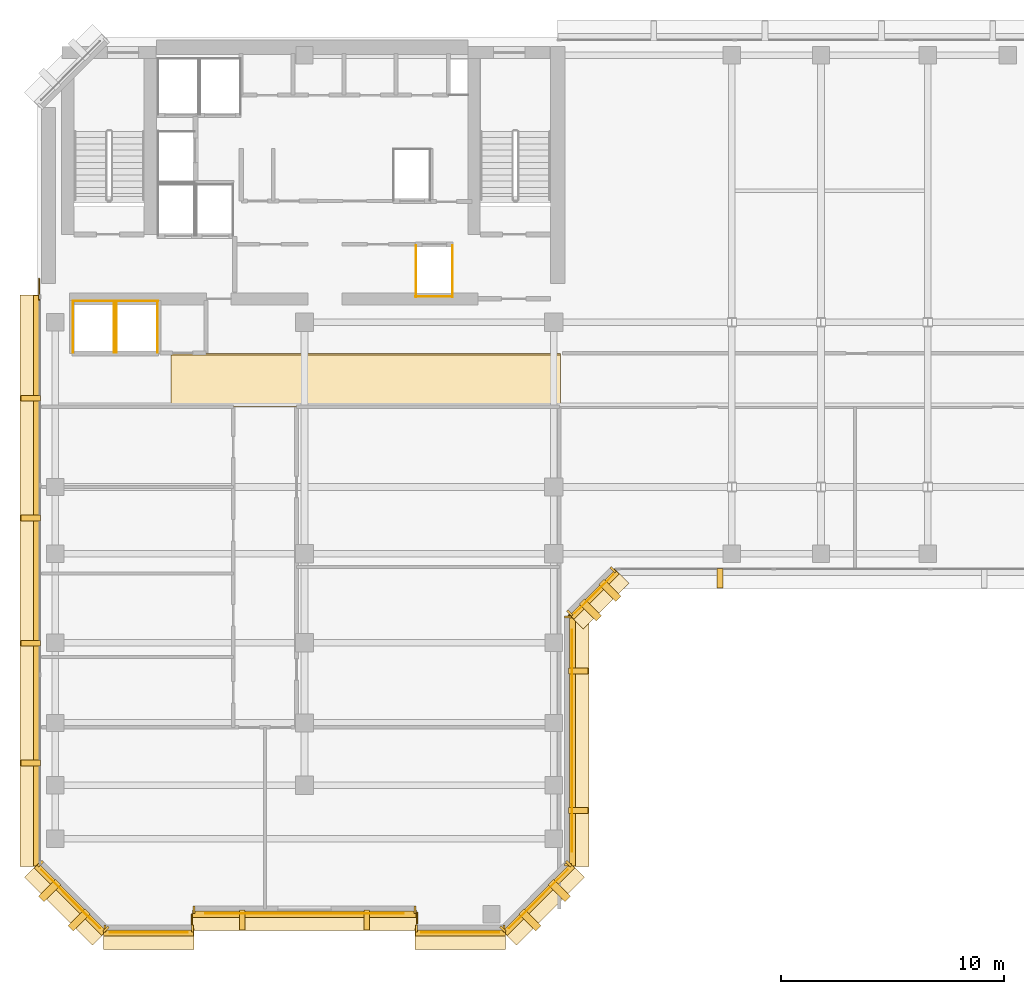
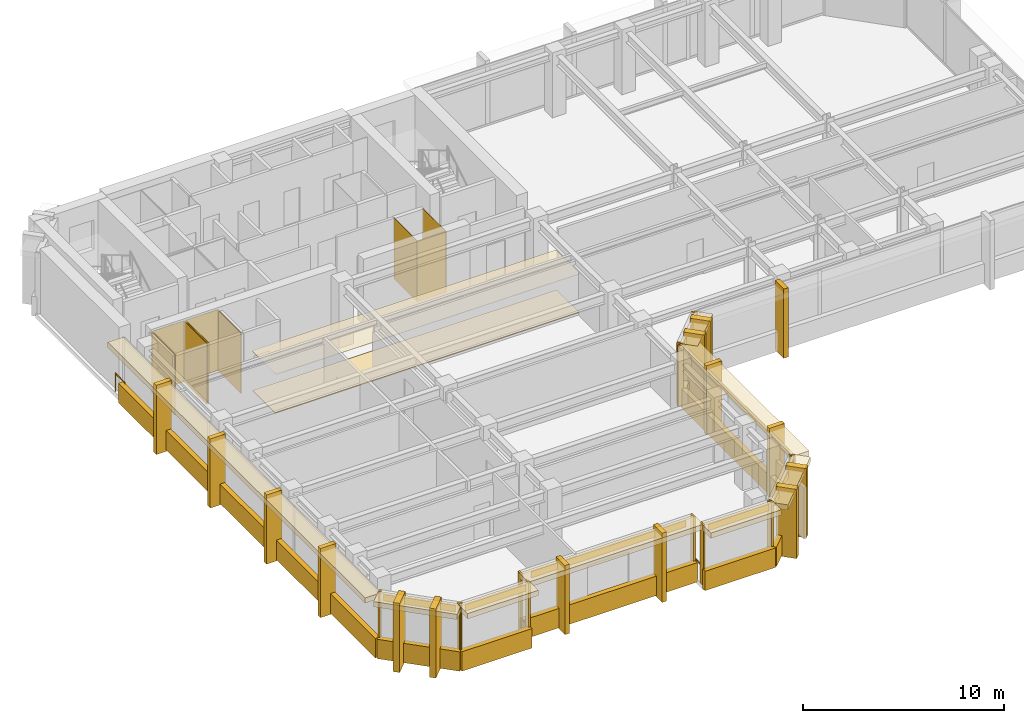
# One storey, part 9 of 12: 63 coverings, 3 railings.
"""IFC4 building model written with IfcOpenShell, lengths in metres."""

from ifc_helpers import new_model, si_unit, direction, frame, origin, origin_2d, place, context, subcontext, project, spatial, polyline, rectangle, circle, outline, extrude, material, layer, layer_set, type_object, element, save


model = new_model("IFC4")

# Units and contexts
model_context = context("Model", 3, precision=1e-05, world=origin(), true_north=direction((0.0, 1.0)))
body_context = subcontext(model_context, "Body", "Model", "MODEL_VIEW")
ifc_project = project(units=[si_unit("LENGTHUNIT", "METRE"), si_unit("AREAUNIT", "SQUARE_METRE"), si_unit("VOLUMEUNIT", "CUBIC_METRE"), si_unit("PLANEANGLEUNIT", "RADIAN"), si_unit("MASSUNIT", "GRAM", prefix="KILO")], contexts=[model_context])

# Site, building, storey
site_placement = place(None, origin())
site = spatial("IfcSite", under=ifc_project, at=site_placement, CompositionType="ELEMENT")
building_placement = place(site_placement, origin())
building = spatial("IfcBuilding", under=site, at=building_placement, Name="Kefirva Bronze Tower", CompositionType="ELEMENT")
storey_placement = place(building_placement, frame((0.0, 0.0, 264.330078125)))
storey = spatial("IfcBuildingStorey", under=building, at=storey_placement, Name="L64", CompositionType="ELEMENT", Elevation=264.330078125)

# Coverings
ifc_material_1 = material(Name="Acoustic mineral tile")
ifc_layer_1 = layer(ifc_material_1, 0.02490234375, Name="Acoustic mineral tile")
ifc_layer_set_1 = layer_set([ifc_layer_1], Name="Acoustic mineral tile")
covering_type_1 = type_object("IfcCoveringType", Name="Acoustic Mineral Suspended Ceiling 25mm", PredefinedType="CEILING", material=ifc_layer_set_1)
covering_1_placement = place(storey_placement, frame((0.0, 0.0, 2.39990234375)))
element("IfcCovering", 1, at=covering_1_placement, inside=storey, type_object=covering_type_1, Name="L64 Corridor Acoustic Ceiling", PredefinedType="CEILING", context=body_context, shape_type="SweptSolid", body=[
    extrude(outline(polyline([(6.0, 29.39990234375), (23.5, 29.39990234375), (23.5, 31.800048828125), (6.0, 31.800048828125), (6.0, 29.39990234375)])), origin(), (0.0, 0.0, 1.0), 0.02490234375),
])
ifc_material_2 = material(Name="Bronze anodised aluminium", Category="aluminium")
ifc_layer_2 = layer(ifc_material_2, 0.02001953125, Name="Bronze anodised aluminium")
ifc_layer_set_2 = layer_set([ifc_layer_2], Name="Bronze anodised aluminium")
covering_type_2 = type_object("IfcCoveringType", Name="Anodised Bronze Spandrel Cladding 20mm", PredefinedType="CLADDING", material=ifc_layer_set_2)
covering_2_placement = place(storey_placement, frame((5.0, 5.7900390625, 3.2900390625), z_axis=(0.0, 0.0, 1.0), x_axis=(1.0, 0.0, 0.0)))
element("IfcCovering", 2, at=covering_2_placement, inside=storey, type_object=covering_type_2, Name="L64 Bronze Spandrel Cladding 1", PredefinedType="CLADDING", context=body_context, shape_type="SweptSolid", body=[
    extrude(rectangle(XDim=3.5009765625, YDim=0.02001953125, at=origin_2d()), origin(), (0.0, 0.0, 1.0), 0.39990234375),
])
for number, where, z_axis, x_axis, name in (
    (3, (3.034912109375, 5.9599609375, 0.0), (0.0, 0.0, 1.0), (1.0, 0.0, 0.0), "L64 Facade Joint Closure Panel 1S"),
    (4, (6.965087890625, 5.9599609375, 0.0), (0.0, 0.0, 1.0), (1.0, 0.0, 0.0), "L64 Facade Joint Closure Panel 1E"),
):
    element("IfcCovering", number, at=place(storey_placement, frame(where, z_axis=z_axis, x_axis=x_axis)), inside=storey, type_object=covering_type_2, Name=name, PredefinedType="CLADDING", context=body_context, shape_type="SweptSolid", body=[
        extrude(rectangle(XDim=0.10009765625, YDim=0.320068359375, at=origin_2d()), origin(), (0.0, 0.0, 1.0), 3.7099609375),
    ])
covering_3_placement = place(storey_placement, frame((5.0, 5.760009765625, -0.16015625), z_axis=(0.0, 0.0, 1.0), x_axis=(1.0, 0.0, 0.0)))
element("IfcCovering", 5, at=covering_3_placement, inside=storey, type_object=covering_type_2, Name="L64 Streamline Horizontal Spandrel Band 0", PredefinedType="CLADDING", context=body_context, shape_type="SweptSolid", body=[
    extrude(rectangle(XDim=4.0400390625, YDim=0.280029296875, at=origin_2d()), origin(), (0.0, 0.0, 1.0), 1.179931640625),
])
covering_4_placement = place(storey_placement, frame((12.0, 6.639892578125, 3.2900390625), z_axis=(0.0, 0.0, 1.0), x_axis=(1.0, 0.0, 0.0)))
element("IfcCovering", 6, at=covering_4_placement, inside=storey, type_object=covering_type_2, Name="L64 Bronze Spandrel Cladding 2", PredefinedType="CLADDING", context=body_context, shape_type="SweptSolid", body=[
    extrude(rectangle(XDim=8.90087890625, YDim=0.02001953125, at=origin_2d()), origin(), (0.0, 0.0, 1.0), 0.39990234375),
])
for number, where, z_axis, x_axis, name in (
    (7, (7.034912109375, 6.81005859375, 0.0), (0.0, 0.0, 1.0), (1.0, 0.0, 0.0), "L64 Facade Joint Closure Panel 2S"),
    (8, (16.965087890625, 6.81005859375, 0.0), (0.0, 0.0, 1.0), (1.0, 0.0, 0.0), "L64 Facade Joint Closure Panel 2E"),
):
    element("IfcCovering", number, at=place(storey_placement, frame(where, z_axis=z_axis, x_axis=x_axis)), inside=storey, type_object=covering_type_2, Name=name, PredefinedType="CLADDING", context=body_context, shape_type="SweptSolid", body=[
        extrude(rectangle(XDim=0.10009765625, YDim=0.320068359375, at=origin_2d()), origin(), (0.0, 0.0, 1.0), 3.7099609375),
    ])
covering_5_placement = place(storey_placement, frame((12.0, 6.610107421875, -0.16015625), z_axis=(0.0, 0.0, 1.0), x_axis=(1.0, 0.0, 0.0)))
element("IfcCovering", 9, at=covering_5_placement, inside=storey, type_object=covering_type_2, Name="L64 Streamline Horizontal Spandrel Band 2", PredefinedType="CLADDING", context=body_context, shape_type="SweptSolid", body=[
    extrude(rectangle(XDim=10.0400390625, YDim=0.280029296875, at=origin_2d()), origin(), (0.0, 0.0, 1.0), 1.179931640625),
])
covering_6_placement = place(storey_placement, frame((19.0, 5.7900390625, 3.2900390625), z_axis=(0.0, 0.0, 1.0), x_axis=(1.0, 0.0, 0.0)))
element("IfcCovering", 10, at=covering_6_placement, inside=storey, type_object=covering_type_2, Name="L64 Bronze Spandrel Cladding 3", PredefinedType="CLADDING", context=body_context, shape_type="SweptSolid", body=[
    extrude(rectangle(XDim=3.5009765625, YDim=0.02001953125, at=origin_2d()), origin(), (0.0, 0.0, 1.0), 0.39990234375),
])
for number, where, z_axis, x_axis, name in (
    (11, (17.034912109375, 5.9599609375, 0.0), (0.0, 0.0, 1.0), (1.0, 0.0, 0.0), "L64 Facade Joint Closure Panel 3S"),
    (12, (20.965087890625, 5.9599609375, 0.0), (0.0, 0.0, 1.0), (1.0, 0.0, 0.0), "L64 Facade Joint Closure Panel 3E"),
):
    element("IfcCovering", number, at=place(storey_placement, frame(where, z_axis=z_axis, x_axis=x_axis)), inside=storey, type_object=covering_type_2, Name=name, PredefinedType="CLADDING", context=body_context, shape_type="SweptSolid", body=[
        extrude(rectangle(XDim=0.10009765625, YDim=0.320068359375, at=origin_2d()), origin(), (0.0, 0.0, 1.0), 3.7099609375),
    ])
covering_7_placement = place(storey_placement, frame((19.0, 5.760009765625, -0.16015625), z_axis=(0.0, 0.0, 1.0), x_axis=(1.0, 0.0, 0.0)))
element("IfcCovering", 13, at=covering_7_placement, inside=storey, type_object=covering_type_2, Name="L64 Streamline Horizontal Spandrel Band 4", PredefinedType="CLADDING", context=body_context, shape_type="SweptSolid", body=[
    extrude(rectangle(XDim=4.0400390625, YDim=0.280029296875, at=origin_2d()), origin(), (0.0, 0.0, 1.0), 1.179931640625),
])
covering_8_placement = place(storey_placement, frame((22.507080078125, 7.29296875, 3.2900390625), z_axis=(0.0, 0.0, 1.0), x_axis=(0.707106781187, 0.707106781187, 0.0)))
element("IfcCovering", 14, at=covering_8_placement, inside=storey, type_object=covering_type_2, Name="L64 Bronze Spandrel Cladding 4", PredefinedType="CLADDING", context=body_context, shape_type="SweptSolid", body=[
    extrude(rectangle(XDim=3.719482421875, YDim=0.02001953125, at=origin_2d()), origin(), (0.0, 0.0, 1.0), 0.39990234375),
])
for number, where, z_axis, x_axis, name in (
    (15, (20.91162109375, 5.93798828125, 0.0), (0.0, 0.0, 1.0), (0.707106781187, 0.707106781187, 0.0), "L64 Facade Joint Closure Panel 4S"),
    (16, (23.862060546875, 8.88818359375, 0.0), (0.0, 0.0, 1.0), (0.707106781187, 0.707106781187, 0.0), "L64 Facade Joint Closure Panel 4E"),
):
    element("IfcCovering", number, at=place(storey_placement, frame(where, z_axis=z_axis, x_axis=x_axis)), inside=storey, type_object=covering_type_2, Name=name, PredefinedType="CLADDING", context=body_context, shape_type="SweptSolid", body=[
        extrude(rectangle(XDim=0.10009765625, YDim=0.320068359375, at=origin_2d()), origin(), (0.0, 0.0, 1.0), 3.7099609375),
    ])
covering_9_placement = place(storey_placement, frame((22.5283203125, 7.271728515625, -0.16015625), z_axis=(0.0, 0.0, 1.0), x_axis=(0.707106781187, 0.707106781187, 0.0)))
element("IfcCovering", 17, at=covering_9_placement, inside=storey, type_object=covering_type_2, Name="L64 Streamline Horizontal Spandrel Band 5", PredefinedType="CLADDING", context=body_context, shape_type="SweptSolid", body=[
    extrude(rectangle(XDim=4.28271484375, YDim=0.280029296875, at=origin_2d()), origin(), (0.0, 0.0, 1.0), 1.179931640625),
])
covering_10_placement = place(storey_placement, frame((24.010009765625, 14.39990234375, 3.2900390625), z_axis=(0.0, 0.0, 1.0), x_axis=(0.0, 1.0, 0.0)))
element("IfcCovering", 18, at=covering_10_placement, inside=storey, type_object=covering_type_2, Name="L64 Bronze Spandrel Cladding 5", PredefinedType="CLADDING", context=body_context, shape_type="SweptSolid", body=[
    extrude(rectangle(XDim=9.98095703125, YDim=0.02001953125, at=origin_2d()), origin(), (0.0, 0.0, 1.0), 0.39990234375),
])
for number, where, z_axis, x_axis, name in (
    (19, (23.840087890625, 8.8349609375, 0.0), (0.0, 0.0, 1.0), (0.0, 1.0, 0.0), "L64 Facade Joint Closure Panel 5S"),
    (20, (23.840087890625, 19.965087890625, 0.0), (0.0, 0.0, 1.0), (0.0, 1.0, 0.0), "L64 Facade Joint Closure Panel 5E"),
):
    element("IfcCovering", number, at=place(storey_placement, frame(where, z_axis=z_axis, x_axis=x_axis)), inside=storey, type_object=covering_type_2, Name=name, PredefinedType="CLADDING", context=body_context, shape_type="SweptSolid", body=[
        extrude(rectangle(XDim=0.10009765625, YDim=0.320068359375, at=origin_2d()), origin(), (0.0, 0.0, 1.0), 3.7099609375),
    ])
covering_11_placement = place(storey_placement, frame((24.0400390625, 14.39990234375, -0.16015625), z_axis=(0.0, 0.0, 1.0), x_axis=(0.0, 1.0, 0.0)))
element("IfcCovering", 21, at=covering_11_placement, inside=storey, type_object=covering_type_2, Name="L64 Streamline Horizontal Spandrel Band 6", PredefinedType="CLADDING", context=body_context, shape_type="SweptSolid", body=[
    extrude(rectangle(XDim=11.239990234375, YDim=0.280029296875, at=origin_2d()), origin(), (0.0, 0.0, 1.0), 1.179931640625),
])
covering_12_placement = place(storey_placement, frame((25.007080078125, 20.992919921875, 3.2900390625), z_axis=(0.0, 0.0, 1.0), x_axis=(0.707106781187, 0.707106781187, 0.0)))
element("IfcCovering", 22, at=covering_12_placement, inside=storey, type_object=covering_type_2, Name="L64 Bronze Spandrel Cladding 6", PredefinedType="CLADDING", context=body_context, shape_type="SweptSolid", body=[
    extrude(rectangle(XDim=2.446533203125, YDim=0.02001953125, at=origin_2d()), origin(), (0.0, 0.0, 1.0), 0.39990234375),
])
for number, where, z_axis, x_axis, name in (
    (23, (23.91162109375, 20.137939453125, 0.0), (0.0, 0.0, 1.0), (0.707106781187, 0.707106781187, 0.0), "L64 Facade Joint Closure Panel 6S"),
    (24, (25.862060546875, 22.08837890625, 0.0), (0.0, 0.0, 1.0), (0.707106781187, 0.707106781187, 0.0), "L64 Facade Joint Closure Panel 6E"),
):
    element("IfcCovering", number, at=place(storey_placement, frame(where, z_axis=z_axis, x_axis=x_axis)), inside=storey, type_object=covering_type_2, Name=name, PredefinedType="CLADDING", context=body_context, shape_type="SweptSolid", body=[
        extrude(rectangle(XDim=0.10009765625, YDim=0.320068359375, at=origin_2d()), origin(), (0.0, 0.0, 1.0), 3.7099609375),
    ])
covering_13_placement = place(storey_placement, frame((25.0283203125, 20.9716796875, -0.16015625), z_axis=(0.0, 0.0, 1.0), x_axis=(0.707106781187, 0.707106781187, 0.0)))
element("IfcCovering", 25, at=covering_13_placement, inside=storey, type_object=covering_type_2, Name="L64 Streamline Horizontal Spandrel Band 7", PredefinedType="CLADDING", context=body_context, shape_type="SweptSolid", body=[
    extrude(rectangle(XDim=2.868408203125, YDim=0.280029296875, at=origin_2d()), origin(), (0.0, 0.0, 1.0), 1.179931640625),
])
covering_14_placement = place(storey_placement, frame((-0.0400390625, 21.597412109375, -0.16015625), z_axis=(0.0, 0.0, 1.0), x_axis=(0.0, -1.0, 0.0)))
element("IfcCovering", 26, at=covering_14_placement, inside=storey, type_object=covering_type_2, Name="L64 Streamline Horizontal Spandrel Band 14", PredefinedType="CLADDING", context=body_context, shape_type="SweptSolid", body=[
    extrude(rectangle(XDim=25.635009765625, YDim=0.280029296875, at=origin_2d()), origin(), (0.0, 0.0, 1.0), 1.179931640625),
])
covering_15_placement = place(storey_placement, frame((1.492919921875, 7.29296875, 3.2900390625), z_axis=(0.0, 0.0, 1.0), x_axis=(0.707106781187, -0.707106781187, 0.0)))
element("IfcCovering", 27, at=covering_15_placement, inside=storey, type_object=covering_type_2, Name="L64 Bronze Spandrel Cladding 10", PredefinedType="CLADDING", context=body_context, shape_type="SweptSolid", body=[
    extrude(rectangle(XDim=3.719482421875, YDim=0.02001953125, at=origin_2d()), origin(), (0.0, 0.0, 1.0), 0.39990234375),
])
for number, where, z_axis, x_axis, name in (
    (28, (0.137939453125, 8.88818359375, 0.0), (0.0, 0.0, 1.0), (0.707106781187, -0.707106781187, 0.0), "L64 Facade Joint Closure Panel 10S"),
    (29, (3.08837890625, 5.93798828125, 0.0), (0.0, 0.0, 1.0), (0.707106781187, -0.707106781187, 0.0), "L64 Facade Joint Closure Panel 10E"),
):
    element("IfcCovering", number, at=place(storey_placement, frame(where, z_axis=z_axis, x_axis=x_axis)), inside=storey, type_object=covering_type_2, Name=name, PredefinedType="CLADDING", context=body_context, shape_type="SweptSolid", body=[
        extrude(rectangle(XDim=0.10009765625, YDim=0.320068359375, at=origin_2d()), origin(), (0.0, 0.0, 1.0), 3.7099609375),
    ])
covering_16_placement = place(storey_placement, frame((1.4716796875, 7.271728515625, -0.16015625), z_axis=(0.0, 0.0, 1.0), x_axis=(0.707106781187, -0.707106781187, 0.0)))
element("IfcCovering", 30, at=covering_16_placement, inside=storey, type_object=covering_type_2, Name="L64 Streamline Horizontal Spandrel Band 15", PredefinedType="CLADDING", context=body_context, shape_type="SweptSolid", body=[
    extrude(rectangle(XDim=4.28271484375, YDim=0.280029296875, at=origin_2d()), origin(), (0.0, 0.0, 1.0), 1.179931640625),
])
covering_17_placement = place(storey_placement, origin())
element("IfcCovering", 31, at=covering_17_placement, inside=storey, type_object=covering_type_2, Name="L64 Lift OB1 Hoistway Liner N", PredefinedType="CLADDING", context=body_context, shape_type="SweptSolid", body=[
    extrude(outline(polyline([(1.580078125, 34.139892578125), (3.469970703125, 34.139892578125), (3.469970703125, 34.159912109375), (1.580078125, 34.159912109375), (1.580078125, 34.139892578125)])), origin(), (0.0, 0.0, 1.0), 3.7099609375),
])
covering_18_placement = place(storey_placement, origin())
element("IfcCovering", 32, at=covering_18_placement, inside=storey, type_object=covering_type_2, Name="L64 Lift OB1 Hoistway Liner W", PredefinedType="CLADDING", context=body_context, shape_type="SweptSolid", body=[
    extrude(outline(polyline([(1.590087890625, 31.830078125), (1.610107421875, 31.830078125), (1.610107421875, 34.169921875), (1.590087890625, 34.169921875), (1.590087890625, 31.830078125)])), origin(), (0.0, 0.0, 1.0), 3.7099609375),
])
covering_19_placement = place(storey_placement, origin())
element("IfcCovering", 33, at=covering_19_placement, inside=storey, type_object=covering_type_2, Name="L64 Lift OB1 Hoistway Liner E", PredefinedType="CLADDING", context=body_context, shape_type="SweptSolid", body=[
    extrude(outline(polyline([(3.43994140625, 31.830078125), (3.4599609375, 31.830078125), (3.4599609375, 34.169921875), (3.43994140625, 34.169921875), (3.43994140625, 31.830078125)])), origin(), (0.0, 0.0, 1.0), 3.7099609375),
])
covering_20_placement = place(storey_placement, origin())
element("IfcCovering", 34, at=covering_20_placement, inside=storey, type_object=covering_type_2, Name="L64 Lift OB2 Hoistway Liner N", PredefinedType="CLADDING", context=body_context, shape_type="SweptSolid", body=[
    extrude(outline(polyline([(3.530029296875, 34.139892578125), (5.419921875, 34.139892578125), (5.419921875, 34.159912109375), (3.530029296875, 34.159912109375), (3.530029296875, 34.139892578125)])), origin(), (0.0, 0.0, 1.0), 3.7099609375),
])
covering_21_placement = place(storey_placement, origin())
element("IfcCovering", 35, at=covering_21_placement, inside=storey, type_object=covering_type_2, Name="L64 Lift OB2 Hoistway Liner W", PredefinedType="CLADDING", context=body_context, shape_type="SweptSolid", body=[
    extrude(outline(polyline([(3.5400390625, 31.830078125), (3.56005859375, 31.830078125), (3.56005859375, 34.169921875), (3.5400390625, 34.169921875), (3.5400390625, 31.830078125)])), origin(), (0.0, 0.0, 1.0), 3.7099609375),
])
covering_22_placement = place(storey_placement, origin())
element("IfcCovering", 36, at=covering_22_placement, inside=storey, type_object=covering_type_2, Name="L64 Lift OB2 Hoistway Liner E", PredefinedType="CLADDING", context=body_context, shape_type="SweptSolid", body=[
    extrude(outline(polyline([(5.389892578125, 31.830078125), (5.409912109375, 31.830078125), (5.409912109375, 34.169921875), (5.389892578125, 34.169921875), (5.389892578125, 31.830078125)])), origin(), (0.0, 0.0, 1.0), 3.7099609375),
])
covering_23_placement = place(storey_placement, origin())
element("IfcCovering", 37, at=covering_23_placement, inside=storey, type_object=covering_type_2, Name="L64 Lift HP1 Hoistway Liner S", PredefinedType="CLADDING", context=body_context, shape_type="SweptSolid", body=[
    extrude(outline(polyline([(16.97998046875, 34.340087890625), (18.669921875, 34.340087890625), (18.669921875, 34.360107421875), (16.97998046875, 34.360107421875), (16.97998046875, 34.340087890625)])), origin(), (0.0, 0.0, 1.0), 3.7099609375),
])
covering_24_placement = place(storey_placement, origin())
element("IfcCovering", 38, at=covering_24_placement, inside=storey, type_object=covering_type_2, Name="L64 Lift HP1 Hoistway Liner W", PredefinedType="CLADDING", context=body_context, shape_type="SweptSolid", body=[
    extrude(outline(polyline([(16.989990234375, 34.330078125), (17.010009765625, 34.330078125), (17.010009765625, 36.669921875), (16.989990234375, 36.669921875), (16.989990234375, 34.330078125)])), origin(), (0.0, 0.0, 1.0), 3.7099609375),
])
covering_25_placement = place(storey_placement, origin())
element("IfcCovering", 39, at=covering_25_placement, inside=storey, type_object=covering_type_2, Name="L64 Lift HP1 Hoistway Liner E", PredefinedType="CLADDING", context=body_context, shape_type="SweptSolid", body=[
    extrude(outline(polyline([(18.639892578125, 34.330078125), (18.659912109375, 34.330078125), (18.659912109375, 36.669921875), (18.639892578125, 36.669921875), (18.639892578125, 34.330078125)])), origin(), (0.0, 0.0, 1.0), 3.7099609375),
])

# Railings
ifc_material_3 = material(Name="Stainless steel 316", Category="steel")
railing_type = type_object("IfcRailingType", Name="Interior Stair Guardrail 1100mm", PredefinedType="GUARDRAIL", material=ifc_material_3)
railing_1_placement = place(storey_placement, frame((0.080078125, 34.199951171875, 0.0)))
element("IfcRailing", 40, at=railing_1_placement, inside=storey, type_object=railing_type, Name="L64 West Core Junction Guardrail", PredefinedType="GUARDRAIL", context=body_context, shape_type="SweptSolid", body=[
    extrude(circle(Radius=0.02392578125, at=origin_2d()), frame((0.0, 0.0, 1.076171875), z_axis=(0.0, 1.0, 0.0), x_axis=(-1.0, 0.0, 0.0)), (0.0, 0.0, 1.0), 0.949951171875),
    extrude(circle(Radius=0.02099609375, at=origin_2d()), origin(), (0.0, 0.0, 1.0), 1.052001953125),
    extrude(circle(Radius=0.02099609375, at=origin_2d()), frame((0.0, 0.949951171875, 0.0)), (0.0, 0.0, 1.0), 1.052001953125),
])
railing_2_placement = place(storey_placement, frame((17.06005859375, 6.199951171875, 0.0)))
element("IfcRailing", 41, at=railing_2_placement, inside=storey, type_object=railing_type, Name="L64 Setback Corner Guardrail SB1", PredefinedType="GUARDRAIL", context=body_context, shape_type="SweptSolid", body=[
    extrude(circle(Radius=0.02392578125, at=origin_2d()), frame((0.0, 0.0, 1.076171875), z_axis=(0.0, 1.0, 0.0), x_axis=(-1.0, 0.0, 0.0)), (0.0, 0.0, 1.0), 0.47998046875),
    extrude(circle(Radius=0.02099609375, at=origin_2d()), origin(), (0.0, 0.0, 1.0), 1.052001953125),
    extrude(circle(Radius=0.02099609375, at=origin_2d()), frame((0.0, 0.47998046875, 0.0)), (0.0, 0.0, 1.0), 1.052001953125),
])
railing_3_placement = place(storey_placement, frame((6.93994140625, 6.14990234375, 0.0)))
element("IfcRailing", 42, at=railing_3_placement, inside=storey, type_object=railing_type, Name="L64 Setback Corner Guardrail SB2", PredefinedType="GUARDRAIL", context=body_context, shape_type="SweptSolid", body=[
    extrude(circle(Radius=0.02392578125, at=origin_2d()), frame((0.0, 0.0, 1.076171875), z_axis=(0.0, 1.0, 0.0), x_axis=(-1.0, 0.0, 0.0)), (0.0, 0.0, 1.0), 0.4501953125),
    extrude(circle(Radius=0.02099609375, at=origin_2d()), origin(), (0.0, 0.0, 1.0), 1.052001953125),
    extrude(circle(Radius=0.02099609375, at=origin_2d()), frame((0.0, 0.4501953125, 0.0)), (0.0, 0.0, 1.0), 1.052001953125),
])

# Coverings
ifc_material_4 = material(Name="Calcium sulphate access tile")
ifc_layer_3 = layer(ifc_material_4, 0.044921875, Name="Calcium sulphate access tile")
ifc_layer_set_3 = layer_set([ifc_layer_3], Name="Calcium sulphate access tile")
covering_type_3 = type_object("IfcCoveringType", Name="Raised Access Office Flooring 45mm", PredefinedType="FLOORING", material=ifc_layer_set_3)
covering_26_placement = place(storey_placement, origin())
element("IfcCovering", 43, at=covering_26_placement, inside=storey, type_object=covering_type_3, Name="L64 Architectural Finish Flooring", PredefinedType="FLOORING", context=body_context, shape_type="SweptSolid", body=[
    extrude(outline(polyline([(6.0, 29.47998046875), (23.5, 29.47998046875), (23.5, 31.719970703125), (6.0, 31.719970703125), (6.0, 29.47998046875)])), origin(), (0.0, 0.0, 1.0), 0.044921875),
])
ifc_layer_4 = layer(ifc_material_2, 0.179931640625, Name="Bronze anodised aluminium")
ifc_layer_set_4 = layer_set([ifc_layer_4], Name="Bronze anodised aluminium")
covering_type_4 = type_object("IfcCoveringType", Name="Streamline Bronze Sunshade Eyebrow Cladding 180mm", PredefinedType="CLADDING", material=ifc_layer_set_4)
covering_27_placement = place(storey_placement, frame((5.0, 5.489990234375, 3.3896484375), z_axis=(0.0, 0.0, 1.0), x_axis=(1.0, 0.0, 0.0)))
element("IfcCovering", 44, at=covering_27_placement, inside=storey, type_object=covering_type_4, Name="L64 Streamline Bronze Sunshade Eyebrow 0", PredefinedType="CLADDING", context=body_context, shape_type="SweptSolid", body=[
    extrude(rectangle(XDim=4.080078125, YDim=0.93994140625, at=origin_2d()), origin(), (0.0, 0.0, 1.0), 0.320068359375),
])
covering_28_placement = place(storey_placement, frame((12.0, 6.340087890625, 3.3896484375), z_axis=(0.0, 0.0, 1.0), x_axis=(1.0, 0.0, 0.0)))
element("IfcCovering", 45, at=covering_28_placement, inside=storey, type_object=covering_type_4, Name="L64 Streamline Bronze Sunshade Eyebrow 2", PredefinedType="CLADDING", context=body_context, shape_type="SweptSolid", body=[
    extrude(rectangle(XDim=10.080078125, YDim=0.93994140625, at=origin_2d()), origin(), (0.0, 0.0, 1.0), 0.320068359375),
])
covering_29_placement = place(storey_placement, frame((19.0, 5.489990234375, 3.3896484375), z_axis=(0.0, 0.0, 1.0), x_axis=(1.0, 0.0, 0.0)))
element("IfcCovering", 46, at=covering_29_placement, inside=storey, type_object=covering_type_4, Name="L64 Streamline Bronze Sunshade Eyebrow 4", PredefinedType="CLADDING", context=body_context, shape_type="SweptSolid", body=[
    extrude(rectangle(XDim=4.080078125, YDim=0.93994140625, at=origin_2d()), origin(), (0.0, 0.0, 1.0), 0.320068359375),
])
covering_30_placement = place(storey_placement, frame((22.71923828125, 7.080810546875, 3.3896484375), z_axis=(0.0, 0.0, 1.0), x_axis=(0.707106781187, 0.707106781187, 0.0)))
element("IfcCovering", 47, at=covering_30_placement, inside=storey, type_object=covering_type_4, Name="L64 Streamline Bronze Sunshade Eyebrow 5", PredefinedType="CLADDING", context=body_context, shape_type="SweptSolid", body=[
    extrude(rectangle(XDim=4.322509765625, YDim=0.93994140625, at=origin_2d()), origin(), (0.0, 0.0, 1.0), 0.320068359375),
])
covering_31_placement = place(storey_placement, frame((24.31005859375, 14.39990234375, 3.3896484375), z_axis=(0.0, 0.0, 1.0), x_axis=(0.0, 1.0, 0.0)))
element("IfcCovering", 48, at=covering_31_placement, inside=storey, type_object=covering_type_4, Name="L64 Streamline Bronze Sunshade Eyebrow 6", PredefinedType="CLADDING", context=body_context, shape_type="SweptSolid", body=[
    extrude(rectangle(XDim=11.280029296875, YDim=0.93994140625, at=origin_2d()), origin(), (0.0, 0.0, 1.0), 0.320068359375),
])
covering_32_placement = place(storey_placement, frame((25.21923828125, 20.78076171875, 3.3896484375), z_axis=(0.0, 0.0, 1.0), x_axis=(0.707106781187, 0.707106781187, 0.0)))
element("IfcCovering", 49, at=covering_32_placement, inside=storey, type_object=covering_type_4, Name="L64 Streamline Bronze Sunshade Eyebrow 7", PredefinedType="CLADDING", context=body_context, shape_type="SweptSolid", body=[
    extrude(rectangle(XDim=2.908447265625, YDim=0.93994140625, at=origin_2d()), origin(), (0.0, 0.0, 1.0), 0.320068359375),
])
covering_33_placement = place(storey_placement, frame((-0.31005859375, 21.597412109375, 3.3896484375), z_axis=(0.0, 0.0, 1.0), x_axis=(0.0, -1.0, 0.0)))
element("IfcCovering", 50, at=covering_33_placement, inside=storey, type_object=covering_type_4, Name="L64 Streamline Bronze Sunshade Eyebrow 14", PredefinedType="CLADDING", context=body_context, shape_type="SweptSolid", body=[
    extrude(rectangle(XDim=25.675048828125, YDim=0.93994140625, at=origin_2d()), origin(), (0.0, 0.0, 1.0), 0.320068359375),
])
covering_34_placement = place(storey_placement, frame((1.28076171875, 7.080810546875, 3.3896484375), z_axis=(0.0, 0.0, 1.0), x_axis=(0.707106781187, -0.707106781187, 0.0)))
element("IfcCovering", 51, at=covering_34_placement, inside=storey, type_object=covering_type_4, Name="L64 Streamline Bronze Sunshade Eyebrow 15", PredefinedType="CLADDING", context=body_context, shape_type="SweptSolid", body=[
    extrude(rectangle(XDim=4.322509765625, YDim=0.93994140625, at=origin_2d()), origin(), (0.0, 0.0, 1.0), 0.320068359375),
])
ifc_layer_5 = layer(ifc_material_2, 0.260009765625, Name="Bronze anodised aluminium")
ifc_layer_set_5 = layer_set([ifc_layer_5], Name="Bronze anodised aluminium")
covering_type_5 = type_object("IfcCoveringType", Name="Unbroken Bronze Buttress Fin Cladding 260mm", PredefinedType="CLADDING", material=ifc_layer_set_5)
for number, where, z_axis, x_axis, name in (
    (52, (9.199951171875, 6.35009765625, -0.25), (0.0, 0.0, 1.0), (1.0, 0.0, 0.0), "L64 Unbroken Vertical Bronze Rib Fin 1"),
    (53, (14.800048828125, 6.35009765625, -0.25), (0.0, 0.0, 1.0), (1.0, 0.0, 0.0), "L64 Unbroken Vertical Bronze Rib Fin 2"),
):
    element("IfcCovering", number, at=place(storey_placement, frame(where, z_axis=z_axis, x_axis=x_axis)), inside=storey, type_object=covering_type_5, Name=name, PredefinedType="CLADDING", context=body_context, shape_type="SweptSolid", body=[
        extrude(rectangle(XDim=0.260009765625, YDim=0.8798828125, at=origin_2d()), origin(), (0.0, 0.0, 1.0), 4.2099609375),
    ])
for number, where, z_axis, x_axis, name in (
    (54, (22.122802734375, 6.357177734375, -0.25), (0.0, 0.0, 1.0), (0.707106781187, 0.707106781187, 0.0), "L64 Chamfered Corner Buttress Fin Cladding 3"),
    (55, (23.44287109375, 7.67724609375, -0.25), (0.0, 0.0, 1.0), (0.707106781187, 0.707106781187, 0.0), "L64 Chamfered Corner Buttress Fin Cladding 4"),
):
    element("IfcCovering", number, at=place(storey_placement, frame(where, z_axis=z_axis, x_axis=x_axis)), inside=storey, type_object=covering_type_5, Name=name, PredefinedType="CLADDING", context=body_context, shape_type="SweptSolid", body=[
        extrude(rectangle(XDim=0.340087890625, YDim=1.080078125, at=origin_2d()), origin(), (0.0, 0.0, 1.0), 4.2099609375),
    ])
for number, where, z_axis, x_axis, name in (
    (56, (24.300048828125, 11.263916015625, -0.25), (0.0, 0.0, 1.0), (0.0, 1.0, 0.0), "L64 Unbroken Vertical Bronze Rib Fin 5"),
    (57, (24.300048828125, 17.535888671875, -0.25), (0.0, 0.0, 1.0), (0.0, 1.0, 0.0), "L64 Unbroken Vertical Bronze Rib Fin 6"),
):
    element("IfcCovering", number, at=place(storey_placement, frame(where, z_axis=z_axis, x_axis=x_axis)), inside=storey, type_object=covering_type_5, Name=name, PredefinedType="CLADDING", context=body_context, shape_type="SweptSolid", body=[
        extrude(rectangle(XDim=0.260009765625, YDim=0.8798828125, at=origin_2d()), origin(), (0.0, 0.0, 1.0), 4.2099609375),
    ])
for number, where, z_axis, x_axis, name in (
    (58, (24.8427734375, 20.277099609375, -0.25), (0.0, 0.0, 1.0), (0.707106781187, 0.707106781187, 0.0), "L64 Chamfered Corner Buttress Fin Cladding 7"),
    (59, (25.722900390625, 21.1572265625, -0.25), (0.0, 0.0, 1.0), (0.707106781187, 0.707106781187, 0.0), "L64 Chamfered Corner Buttress Fin Cladding 8"),
):
    element("IfcCovering", number, at=place(storey_placement, frame(where, z_axis=z_axis, x_axis=x_axis)), inside=storey, type_object=covering_type_5, Name=name, PredefinedType="CLADDING", context=body_context, shape_type="SweptSolid", body=[
        extrude(rectangle(XDim=0.340087890625, YDim=1.080078125, at=origin_2d()), origin(), (0.0, 0.0, 1.0), 4.2099609375),
    ])
for number, where, z_axis, x_axis, name in (
    (60, (30.6640625, 21.699951171875, -0.25), (0.0, 0.0, 1.0), (1.0, 0.0, 0.0), "L64 Unbroken Vertical Bronze Rib Fin 9"),
    (61, (-0.300048828125, 29.787841796875, -0.25), (0.0, 0.0, 1.0), (0.0, -1.0, 0.0), "L64 Unbroken Vertical Bronze Rib Fin 23"),
    (62, (-0.300048828125, 24.4130859375, -0.25), (0.0, 0.0, 1.0), (0.0, -1.0, 0.0), "L64 Unbroken Vertical Bronze Rib Fin 24"),
    (63, (-0.300048828125, 18.781982421875, -0.25), (0.0, 0.0, 1.0), (0.0, -1.0, 0.0), "L64 Unbroken Vertical Bronze Rib Fin 25"),
    (64, (-0.300048828125, 13.406982421875, -0.25), (0.0, 0.0, 1.0), (0.0, -1.0, 0.0), "L64 Unbroken Vertical Bronze Rib Fin 26"),
):
    element("IfcCovering", number, at=place(storey_placement, frame(where, z_axis=z_axis, x_axis=x_axis)), inside=storey, type_object=covering_type_5, Name=name, PredefinedType="CLADDING", context=body_context, shape_type="SweptSolid", body=[
        extrude(rectangle(XDim=0.260009765625, YDim=0.8798828125, at=origin_2d()), origin(), (0.0, 0.0, 1.0), 4.2099609375),
    ])
for number, where, z_axis, x_axis, name in (
    (65, (0.55712890625, 7.67724609375, -0.25), (0.0, 0.0, 1.0), (0.707106781187, -0.707106781187, 0.0), "L64 Chamfered Corner Buttress Fin Cladding 27"),
    (66, (1.877197265625, 6.357177734375, -0.25), (0.0, 0.0, 1.0), (0.707106781187, -0.707106781187, 0.0), "L64 Chamfered Corner Buttress Fin Cladding 28"),
):
    element("IfcCovering", number, at=place(storey_placement, frame(where, z_axis=z_axis, x_axis=x_axis)), inside=storey, type_object=covering_type_5, Name=name, PredefinedType="CLADDING", context=body_context, shape_type="SweptSolid", body=[
        extrude(rectangle(XDim=0.340087890625, YDim=1.080078125, at=origin_2d()), origin(), (0.0, 0.0, 1.0), 4.2099609375),
    ])

save(model, "model.ifc")
